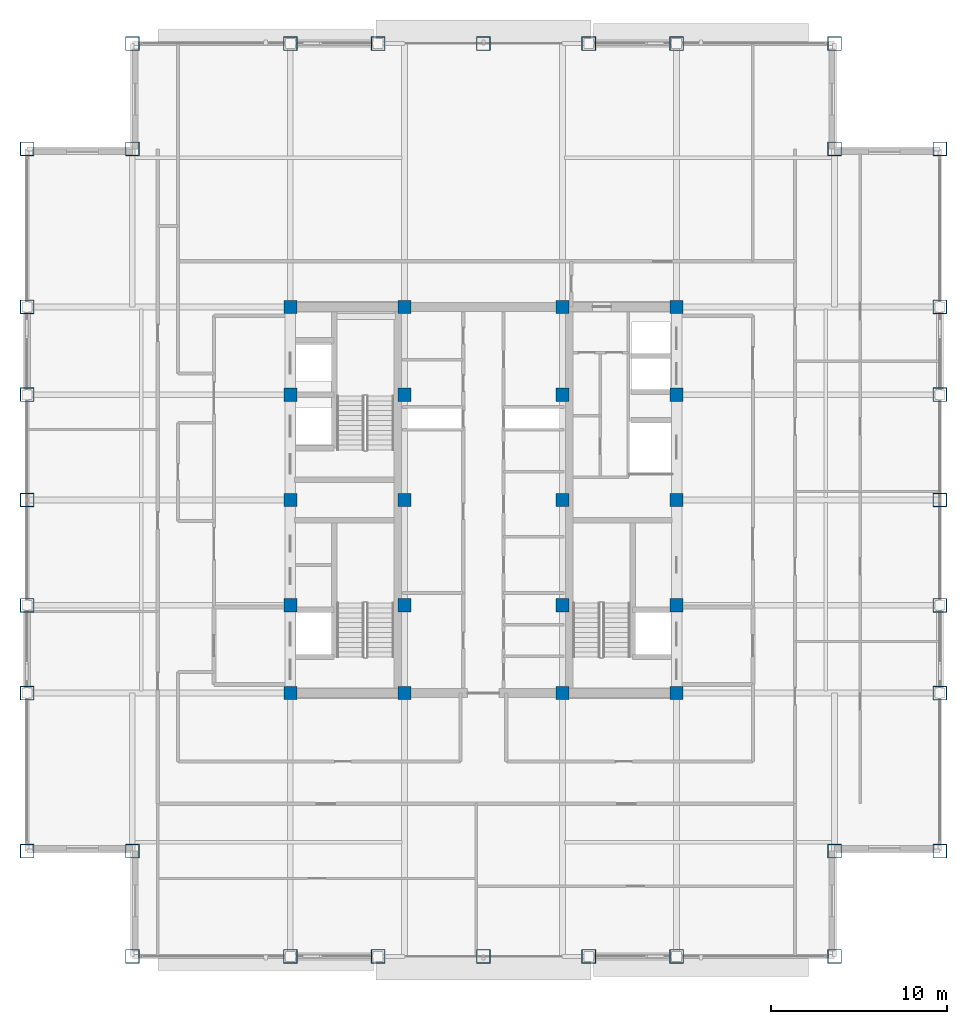
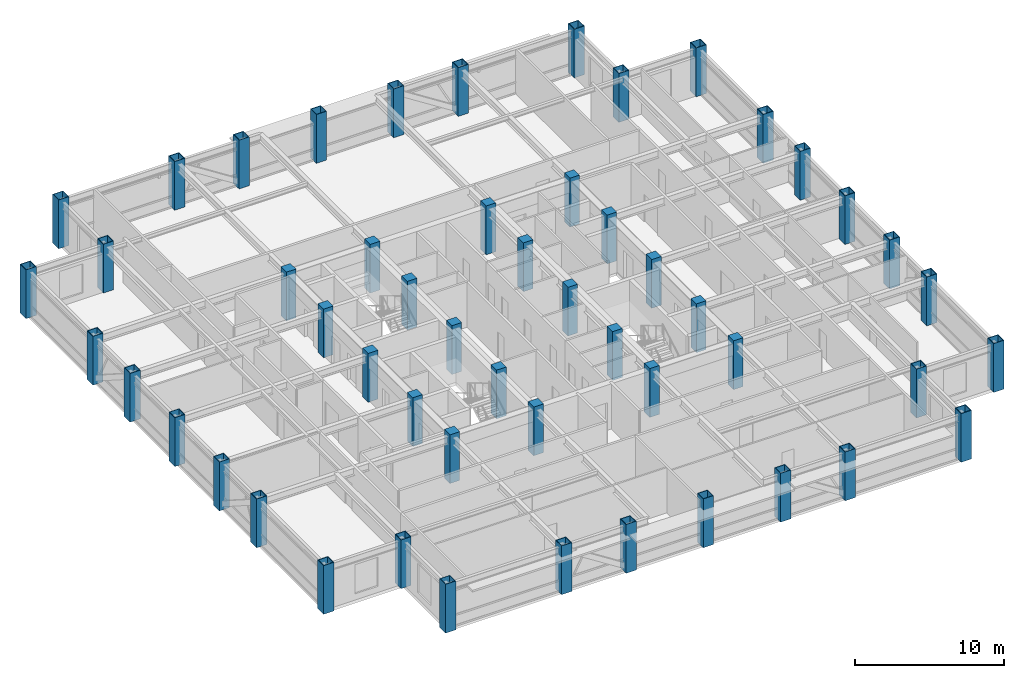
# One storey, part 1 of 32: 52 columns.
"""IFC4 building model written with IfcOpenShell, lengths in metres."""

from ifc_helpers import new_model, si_unit, direction, frame, origin, origin_2d, place, context, subcontext, project, spatial, rectangle, hollow_rectangle, extrude, source, transform, mapped, material, material_profile, profile_set, type_object, element, save


model = new_model("IFC4")

# Units and contexts
model_context = context("Model", 3, precision=1e-05, world=origin(), true_north=direction((0.0, 1.0)))
body_context = subcontext(model_context, "Body", "Model", "MODEL_VIEW")
ifc_project = project(units=[si_unit("LENGTHUNIT", "METRE"), si_unit("AREAUNIT", "SQUARE_METRE"), si_unit("VOLUMEUNIT", "CUBIC_METRE"), si_unit("PLANEANGLEUNIT", "RADIAN"), si_unit("MASSUNIT", "GRAM", prefix="KILO")], contexts=[model_context])

# Site, building, storey
site_placement = place(None, origin())
site = spatial("IfcSite", under=ifc_project, at=site_placement, CompositionType="ELEMENT")
building_placement = place(site_placement, origin())
building = spatial("IfcBuilding", under=site, at=building_placement, Name="Khorayat Bourse Tower", CompositionType="ELEMENT")
storey_placement = place(building_placement, frame((0.0, 0.0, 342.300048828125)))
storey = spatial("IfcBuildingStorey", under=building, at=storey_placement, Name="L81", CompositionType="ELEMENT", Elevation=342.300048828125)

# Columns
ifc_material_1 = material(Name="Concrete C52/65", Category="concrete")
ifc_material_profile_1 = material_profile(ifc_material_1, rectangle(XDim=0.75, YDim=0.75, at=origin_2d()), Name="RC 750x750")
ifc_profile_set_1 = profile_set([ifc_material_profile_1], Name="Concrete C52/65")
column_type_1 = type_object("IfcColumnType", Name="COL-CORE-750", PredefinedType="COLUMN", material=ifc_profile_set_1)
shared_shape_1 = source(origin(), body_context, "Body", "SweptSolid", [
    extrude(rectangle(XDim=0.75, YDim=0.75, at=origin_2d()), origin(), (0.0, 0.0, 1.0), 4.0),
])
for number, where, z_axis, x_axis, name in (
    (1, (-11.0, -11.0, 0.0), (0.0, 0.0, 1.0), (1.0, 0.0, 0.0), "L81 Column 013"),
    (2, (-11.0, -6.0, 0.0), (0.0, 0.0, 1.0), (1.0, 0.0, 0.0), "L81 Column 014"),
    (3, (-11.0, 0.0, 0.0), (0.0, 0.0, 1.0), (1.0, 0.0, 0.0), "L81 Column 015"),
    (4, (-11.0, 6.0, 0.0), (0.0, 0.0, 1.0), (1.0, 0.0, 0.0), "L81 Column 016"),
    (5, (-11.0, 11.0, 0.0), (0.0, 0.0, 1.0), (1.0, 0.0, 0.0), "L81 Column 017"),
    (6, (-4.5, -11.0, 0.0), (0.0, 0.0, 1.0), (1.0, 0.0, 0.0), "L81 Column 021"),
    (7, (-4.5, -6.0, 0.0), (0.0, 0.0, 1.0), (1.0, 0.0, 0.0), "L81 Column 022"),
    (8, (-4.5, 0.0, 0.0), (0.0, 0.0, 1.0), (1.0, 0.0, 0.0), "L81 Column 023"),
    (9, (-4.5, 6.0, 0.0), (0.0, 0.0, 1.0), (1.0, 0.0, 0.0), "L81 Column 024"),
    (10, (-4.5, 11.0, 0.0), (0.0, 0.0, 1.0), (1.0, 0.0, 0.0), "L81 Column 025"),
    (11, (4.5, -11.0, 0.0), (0.0, 0.0, 1.0), (1.0, 0.0, 0.0), "L81 Column 028"),
    (12, (4.5, -6.0, 0.0), (0.0, 0.0, 1.0), (1.0, 0.0, 0.0), "L81 Column 029"),
    (13, (4.5, 0.0, 0.0), (0.0, 0.0, 1.0), (1.0, 0.0, 0.0), "L81 Column 030"),
    (14, (4.5, 6.0, 0.0), (0.0, 0.0, 1.0), (1.0, 0.0, 0.0), "L81 Column 031"),
    (15, (4.5, 11.0, 0.0), (0.0, 0.0, 1.0), (1.0, 0.0, 0.0), "L81 Column 032"),
    (16, (11.0, -11.0, 0.0), (0.0, 0.0, 1.0), (1.0, 0.0, 0.0), "L81 Column 036"),
    (17, (11.0, -6.0, 0.0), (0.0, 0.0, 1.0), (1.0, 0.0, 0.0), "L81 Column 037"),
    (18, (11.0, 0.0, 0.0), (0.0, 0.0, 1.0), (1.0, 0.0, 0.0), "L81 Column 038"),
    (19, (11.0, 6.0, 0.0), (0.0, 0.0, 1.0), (1.0, 0.0, 0.0), "L81 Column 039"),
    (20, (11.0, 11.0, 0.0), (0.0, 0.0, 1.0), (1.0, 0.0, 0.0), "L81 Column 040"),
):
    element("IfcColumn", number, at=place(storey_placement, frame(where, z_axis=z_axis, x_axis=x_axis)), inside=storey, type_object=column_type_1, Name=name, PredefinedType="COLUMN", context=body_context, shape_type="MappedRepresentation", body=[
        mapped(shared_shape_1, transform((0.0, 0.0, 0.0), scale=1.0)),
    ])
ifc_material_2 = material(Name="Steel EN 10025-2 S355J2", Category="steel")
ifc_material_profile_2 = material_profile(ifc_material_2, hollow_rectangle(XDim=0.800048828125, YDim=0.800048828125, WallThickness=0.044921875, at=origin_2d()), Name="BOX 800x800x45")
ifc_profile_set_2 = profile_set([ifc_material_profile_2], Name="Steel EN 10025-2 S355J2")
column_type_2 = type_object("IfcColumnType", Name="COL-TUBE-800", PredefinedType="COLUMN", material=ifc_profile_set_2)
shared_shape_2 = source(origin(), body_context, "Body", "SweptSolid", [
    extrude(hollow_rectangle(XDim=0.800048828125, YDim=0.800048828125, WallThickness=0.044921875, at=origin_2d()), origin(), (0.0, 0.0, 1.0), 4.0),
])
for number, where, z_axis, x_axis, name in (
    (21, (-26.0, -20.0, 0.0), (0.0, 0.0, 1.0), (1.0, 0.0, 0.0), "L81 Column 001"),
    (22, (-26.0, -11.0, 0.0), (0.0, 0.0, 1.0), (1.0, 0.0, 0.0), "L81 Column 002"),
    (23, (-26.0, -6.0, 0.0), (0.0, 0.0, 1.0), (1.0, 0.0, 0.0), "L81 Column 003"),
    (24, (-26.0, 0.0, 0.0), (0.0, 0.0, 1.0), (1.0, 0.0, 0.0), "L81 Column 004"),
    (25, (-26.0, 6.0, 0.0), (0.0, 0.0, 1.0), (1.0, 0.0, 0.0), "L81 Column 005"),
    (26, (-26.0, 11.0, 0.0), (0.0, 0.0, 1.0), (1.0, 0.0, 0.0), "L81 Column 006"),
    (27, (-26.0, 20.0, 0.0), (0.0, 0.0, 1.0), (1.0, 0.0, 0.0), "L81 Column 007"),
    (28, (-20.0, -26.0, 0.0), (0.0, 0.0, 1.0), (1.0, 0.0, 0.0), "L81 Column 008"),
    (29, (-20.0, -20.0, 0.0), (0.0, 0.0, 1.0), (1.0, 0.0, 0.0), "L81 Column 009"),
    (30, (-20.0, 20.0, 0.0), (0.0, 0.0, 1.0), (1.0, 0.0, 0.0), "L81 Column 010"),
    (31, (-20.0, 26.0, 0.0), (0.0, 0.0, 1.0), (1.0, 0.0, 0.0), "L81 Column 011"),
    (32, (-11.0, -26.0, 0.0), (0.0, 0.0, 1.0), (1.0, 0.0, 0.0), "L81 Column 012"),
    (33, (-11.0, 26.0, 0.0), (0.0, 0.0, 1.0), (1.0, 0.0, 0.0), "L81 Column 018"),
    (34, (-6.0, -26.0, 0.0), (0.0, 0.0, 1.0), (1.0, 0.0, 0.0), "L81 Column 019"),
    (35, (-6.0, 26.0, 0.0), (0.0, 0.0, 1.0), (1.0, 0.0, 0.0), "L81 Column 020"),
    (36, (0.0, -26.0, 0.0), (0.0, 0.0, 1.0), (1.0, 0.0, 0.0), "L81 Column 026"),
    (37, (0.0, 26.0, 0.0), (0.0, 0.0, 1.0), (1.0, 0.0, 0.0), "L81 Column 027"),
    (38, (6.0, -26.0, 0.0), (0.0, 0.0, 1.0), (1.0, 0.0, 0.0), "L81 Column 033"),
    (39, (6.0, 26.0, 0.0), (0.0, 0.0, 1.0), (1.0, 0.0, 0.0), "L81 Column 034"),
    (40, (11.0, -26.0, 0.0), (0.0, 0.0, 1.0), (1.0, 0.0, 0.0), "L81 Column 035"),
    (41, (11.0, 26.0, 0.0), (0.0, 0.0, 1.0), (1.0, 0.0, 0.0), "L81 Column 041"),
    (42, (20.0, -26.0, 0.0), (0.0, 0.0, 1.0), (1.0, 0.0, 0.0), "L81 Column 042"),
    (43, (20.0, -20.0, 0.0), (0.0, 0.0, 1.0), (1.0, 0.0, 0.0), "L81 Column 043"),
    (44, (20.0, 20.0, 0.0), (0.0, 0.0, 1.0), (1.0, 0.0, 0.0), "L81 Column 044"),
    (45, (20.0, 26.0, 0.0), (0.0, 0.0, 1.0), (1.0, 0.0, 0.0), "L81 Column 045"),
    (46, (26.0, -20.0, 0.0), (0.0, 0.0, 1.0), (1.0, 0.0, 0.0), "L81 Column 046"),
    (47, (26.0, -11.0, 0.0), (0.0, 0.0, 1.0), (1.0, 0.0, 0.0), "L81 Column 047"),
    (48, (26.0, -6.0, 0.0), (0.0, 0.0, 1.0), (1.0, 0.0, 0.0), "L81 Column 048"),
    (49, (26.0, 0.0, 0.0), (0.0, 0.0, 1.0), (1.0, 0.0, 0.0), "L81 Column 049"),
    (50, (26.0, 6.0, 0.0), (0.0, 0.0, 1.0), (1.0, 0.0, 0.0), "L81 Column 050"),
    (51, (26.0, 11.0, 0.0), (0.0, 0.0, 1.0), (1.0, 0.0, 0.0), "L81 Column 051"),
    (52, (26.0, 20.0, 0.0), (0.0, 0.0, 1.0), (1.0, 0.0, 0.0), "L81 Column 052"),
):
    element("IfcColumn", number, at=place(storey_placement, frame(where, z_axis=z_axis, x_axis=x_axis)), inside=storey, type_object=column_type_2, Name=name, PredefinedType="COLUMN", context=body_context, shape_type="MappedRepresentation", body=[
        mapped(shared_shape_2, transform((0.0, 0.0, 0.0), scale=1.0)),
    ])

save(model, "model.ifc")
